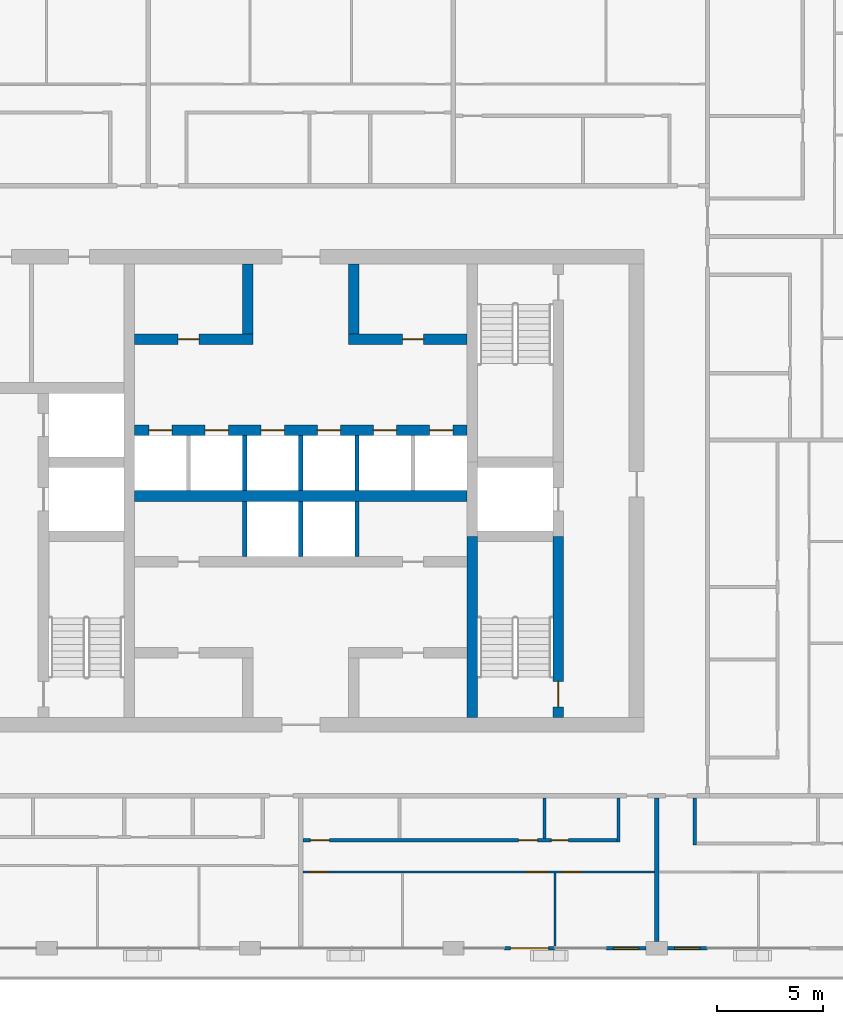
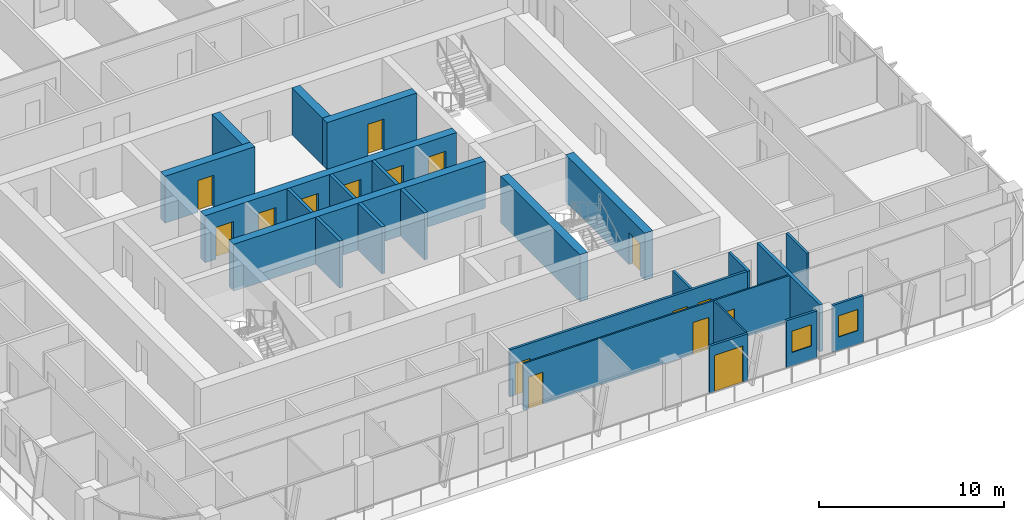
# One storey, part 11 of 22: 24 walls, 16 doors, 2 windows, 18 openings.
"""IFC4 building model written with IfcOpenShell, lengths in metres."""

from ifc_helpers import new_model, si_unit, direction, frame, frame_2d, origin, place, context, subcontext, project, spatial, rectangle, extrude, material, layer, layer_set, type_object, element, fill, save


model = new_model("IFC4")

# Units and contexts
model_context = context("Model", 3, precision=1e-05, world=origin(), true_north=direction((0.0, 1.0)))
body_context = subcontext(model_context, "Body", "Model", "MODEL_VIEW")
ifc_project = project(units=[si_unit("LENGTHUNIT", "METRE"), si_unit("AREAUNIT", "SQUARE_METRE"), si_unit("VOLUMEUNIT", "CUBIC_METRE"), si_unit("PLANEANGLEUNIT", "RADIAN"), si_unit("MASSUNIT", "GRAM", prefix="KILO")], contexts=[model_context])

# Site, building, storey
site_placement = place(None, origin())
site = spatial("IfcSite", under=ifc_project, at=site_placement, CompositionType="ELEMENT")
building_placement = place(site_placement, origin())
building = spatial("IfcBuilding", under=site, at=building_placement, Name="Madar Terraces", CompositionType="ELEMENT")
storey_placement = place(building_placement, frame((0.0, 0.0, 229.800048828125)))
storey = spatial("IfcBuildingStorey", under=building, at=storey_placement, Name="L60", CompositionType="ELEMENT", Elevation=229.800048828125)

# Wall
ifc_material_1 = material(Name="Concrete C60/75", Category="concrete")
ifc_layer_1 = layer(ifc_material_1, 0.5)
ifc_layer_set_1 = layer_set([ifc_layer_1], Name="Concrete C60/75 (CIW4 RC wall 500)")
wall_type_1 = type_object("IfcWallType", Name="CIW4 RC wall 500", PredefinedType="SHEAR", material=ifc_layer_set_1)
wall_1_placement = place(storey_placement, frame((39.300048828125, 15.699951171875, 0.0), z_axis=(0.0, 0.0, 1.0), x_axis=(0.0, 1.0, 0.0)))
element("IfcWall", 1, at=wall_1_placement, inside=storey, type_object=wall_type_1, Name="CORE SHAFT WALL", PredefinedType="SHEAR", context=body_context, shape_type="SweptSolid", body=[
    extrude(rectangle(XDim=8.550048828125, YDim=0.5, at=frame_2d((4.27490234375, 0.0))), origin(), (0.0, 0.0, 1.0), 3.099853515625),
])

# Wall, opening, door
wall_2_placement = place(storey_placement, frame((43.35009765625, 15.699951171875, 0.0), z_axis=(0.0, 0.0, 1.0), x_axis=(0.0, 1.0, 0.0)))
wall_2 = element("IfcWall", 2, at=wall_2_placement, inside=storey, type_object=wall_type_1, Name="CORE SHAFT WALL", PredefinedType="SHEAR", context=body_context, shape_type="SweptSolid", body=[
    extrude(rectangle(XDim=8.550048828125, YDim=0.5, at=frame_2d((4.27490234375, 0.0))), origin(), (0.0, 0.0, 1.0), 3.099853515625),
])
opening_1_placement = place(wall_2_placement, frame((0.5, 0.0, 0.0)))
opening_1 = element("IfcOpeningElement", 3, at=opening_1_placement, cuts=wall_2, Name="Opening SD1", PredefinedType="OPENING", context=body_context, shape_type="SweptSolid", body=[
    extrude(rectangle(XDim=1.199951171875, YDim=2.10009765625, at=frame_2d((0.60009765625, 1.050048828125))), frame((0.0, 0.260009765625, 0.0), z_axis=(0.0, -1.0, 0.0), x_axis=(1.0, 0.0, 0.0)), (0.0, 0.0, 1.0), 0.52001953125),
])
ifc_material_2 = material(Name="Steel door leaf", Category="steel")
door_type_1 = type_object("IfcDoorType", Name="Stair door 1200 x 2100", OperationType="NOTDEFINED", PredefinedType="DOOR", material=ifc_material_2)
door_1_placement = place(opening_1_placement, origin())
door_1 = element("IfcDoor", 4, at=door_1_placement, inside=storey, type_object=door_type_1, Name="STAIR DOOR", OperationType="SINGLE_SWING_LEFT", OverallHeight=2.10009765625, OverallWidth=1.199951171875, PredefinedType="DOOR", context=body_context, shape_type="SweptSolid", body=[
    extrude(rectangle(XDim=1.199951171875, YDim=2.10009765625, at=frame_2d((0.60009765625, 1.050048828125))), frame((0.0, 0.02490234375, 0.0), z_axis=(0.0, -1.0, 0.0), x_axis=(1.0, 0.0, 0.0)), (0.0, 0.0, 1.0), 0.050048828125),
])
fill(opening_1, door_1)

# Wall
wall_3_placement = place(storey_placement, frame((23.35009765625, 26.14990234375, 0.0), z_axis=(0.0, 0.0, 1.0), x_axis=(1.0, 0.0, 0.0)))
element("IfcWall", 5, at=wall_3_placement, inside=storey, type_object=wall_type_1, Name="CORE SHAFT WALL", PredefinedType="SHEAR", context=body_context, shape_type="SweptSolid", body=[
    extrude(rectangle(XDim=15.699951171875, YDim=0.5, at=frame_2d((7.85009765625, 0.0))), origin(), (0.0, 0.0, 1.0), 3.099853515625),
])

# Wall, openings, doors
wall_4_placement = place(storey_placement, frame((23.35009765625, 29.25, 0.0), z_axis=(0.0, 0.0, 1.0), x_axis=(1.0, 0.0, 0.0)))
wall_4 = element("IfcWall", 6, at=wall_4_placement, inside=storey, type_object=wall_type_1, Name="CORE SHAFT WALL", PredefinedType="SHEAR", context=body_context, shape_type="SweptSolid", body=[
    extrude(rectangle(XDim=15.699951171875, YDim=0.5, at=frame_2d((7.85009765625, 0.0))), origin(), (0.0, 0.0, 1.0), 3.099853515625),
])
opening_2_placement = place(wall_4_placement, frame((0.675048828125, 0.0, 0.0)))
opening_2 = element("IfcOpeningElement", 7, at=opening_2_placement, cuts=wall_4, Name="Opening LD", PredefinedType="OPENING", context=body_context, shape_type="SweptSolid", body=[
    extrude(rectangle(XDim=1.10009765625, YDim=2.10009765625, at=frame_2d((0.550048828125, 1.050048828125))), frame((0.0, 0.260009765625, 0.0), z_axis=(0.0, -1.0, 0.0), x_axis=(1.0, 0.0, 0.0)), (0.0, 0.0, 1.0), 0.52001953125),
])
opening_3_placement = place(wall_4_placement, frame((3.324951171875, 0.0, 0.0)))
opening_3 = element("IfcOpeningElement", 8, at=opening_3_placement, cuts=wall_4, Name="Opening LD", PredefinedType="OPENING", context=body_context, shape_type="SweptSolid", body=[
    extrude(rectangle(XDim=1.10009765625, YDim=2.10009765625, at=frame_2d((0.550048828125, 1.050048828125))), frame((0.0, 0.260009765625, 0.0), z_axis=(0.0, -1.0, 0.0), x_axis=(1.0, 0.0, 0.0)), (0.0, 0.0, 1.0), 0.52001953125),
])
opening_4_placement = place(wall_4_placement, frame((5.97509765625, 0.0, 0.0)))
opening_4 = element("IfcOpeningElement", 9, at=opening_4_placement, cuts=wall_4, Name="Opening LD", PredefinedType="OPENING", context=body_context, shape_type="SweptSolid", body=[
    extrude(rectangle(XDim=1.10009765625, YDim=2.10009765625, at=frame_2d((0.550048828125, 1.050048828125))), frame((0.0, 0.260009765625, 0.0), z_axis=(0.0, -1.0, 0.0), x_axis=(1.0, 0.0, 0.0)), (0.0, 0.0, 1.0), 0.52001953125),
])
opening_5_placement = place(wall_4_placement, frame((8.625, 0.0, 0.0)))
opening_5 = element("IfcOpeningElement", 10, at=opening_5_placement, cuts=wall_4, Name="Opening LD", PredefinedType="OPENING", context=body_context, shape_type="SweptSolid", body=[
    extrude(rectangle(XDim=1.10009765625, YDim=2.10009765625, at=frame_2d((0.550048828125, 1.050048828125))), frame((0.0, 0.260009765625, 0.0), z_axis=(0.0, -1.0, 0.0), x_axis=(1.0, 0.0, 0.0)), (0.0, 0.0, 1.0), 0.52001953125),
])
opening_6_placement = place(wall_4_placement, frame((11.27490234375, 0.0, 0.0)))
opening_6 = element("IfcOpeningElement", 11, at=opening_6_placement, cuts=wall_4, Name="Opening LD", PredefinedType="OPENING", context=body_context, shape_type="SweptSolid", body=[
    extrude(rectangle(XDim=1.10009765625, YDim=2.10009765625, at=frame_2d((0.550048828125, 1.050048828125))), frame((0.0, 0.260009765625, 0.0), z_axis=(0.0, -1.0, 0.0), x_axis=(1.0, 0.0, 0.0)), (0.0, 0.0, 1.0), 0.52001953125),
])
opening_7_placement = place(wall_4_placement, frame((13.925048828125, 0.0, 0.0)))
opening_7 = element("IfcOpeningElement", 12, at=opening_7_placement, cuts=wall_4, Name="Opening LD", PredefinedType="OPENING", context=body_context, shape_type="SweptSolid", body=[
    extrude(rectangle(XDim=1.10009765625, YDim=2.10009765625, at=frame_2d((0.550048828125, 1.050048828125))), frame((0.0, 0.260009765625, 0.0), z_axis=(0.0, -1.0, 0.0), x_axis=(1.0, 0.0, 0.0)), (0.0, 0.0, 1.0), 0.52001953125),
])
ifc_material_3 = material(Name="Stainless steel panel", Category="steel")
door_type_2 = type_object("IfcDoorType", Name="Lift landing door 1100 x 2100", OperationType="DOUBLE_DOOR_SLIDING", PredefinedType="DOOR", material=ifc_material_3)
door_2_placement = place(opening_2_placement, origin())
door_2 = element("IfcDoor", 13, at=door_2_placement, inside=storey, type_object=door_type_2, Name="LIFT LANDING DOOR", OperationType="DOUBLE_DOOR_SLIDING", OverallHeight=2.10009765625, OverallWidth=1.10009765625, PredefinedType="DOOR", context=body_context, shape_type="SweptSolid", body=[
    extrude(rectangle(XDim=1.10009765625, YDim=2.10009765625, at=frame_2d((0.550048828125, 1.050048828125))), frame((0.0, 0.02490234375, 0.0), z_axis=(0.0, -1.0, 0.0), x_axis=(1.0, 0.0, 0.0)), (0.0, 0.0, 1.0), 0.050048828125),
])
fill(opening_2, door_2)
door_3_placement = place(opening_3_placement, origin())
door_3 = element("IfcDoor", 14, at=door_3_placement, inside=storey, type_object=door_type_2, Name="LIFT LANDING DOOR", OperationType="DOUBLE_DOOR_SLIDING", OverallHeight=2.10009765625, OverallWidth=1.10009765625, PredefinedType="DOOR", context=body_context, shape_type="SweptSolid", body=[
    extrude(rectangle(XDim=1.10009765625, YDim=2.10009765625, at=frame_2d((0.550048828125, 1.050048828125))), frame((0.0, 0.02490234375, 0.0), z_axis=(0.0, -1.0, 0.0), x_axis=(1.0, 0.0, 0.0)), (0.0, 0.0, 1.0), 0.050048828125),
])
fill(opening_3, door_3)
door_4_placement = place(opening_4_placement, origin())
door_4 = element("IfcDoor", 15, at=door_4_placement, inside=storey, type_object=door_type_2, Name="LIFT LANDING DOOR", OperationType="DOUBLE_DOOR_SLIDING", OverallHeight=2.10009765625, OverallWidth=1.10009765625, PredefinedType="DOOR", context=body_context, shape_type="SweptSolid", body=[
    extrude(rectangle(XDim=1.10009765625, YDim=2.10009765625, at=frame_2d((0.550048828125, 1.050048828125))), frame((0.0, 0.02490234375, 0.0), z_axis=(0.0, -1.0, 0.0), x_axis=(1.0, 0.0, 0.0)), (0.0, 0.0, 1.0), 0.050048828125),
])
fill(opening_4, door_4)
door_5_placement = place(opening_5_placement, origin())
door_5 = element("IfcDoor", 16, at=door_5_placement, inside=storey, type_object=door_type_2, Name="LIFT LANDING DOOR", OperationType="DOUBLE_DOOR_SLIDING", OverallHeight=2.10009765625, OverallWidth=1.10009765625, PredefinedType="DOOR", context=body_context, shape_type="SweptSolid", body=[
    extrude(rectangle(XDim=1.10009765625, YDim=2.10009765625, at=frame_2d((0.550048828125, 1.050048828125))), frame((0.0, 0.02490234375, 0.0), z_axis=(0.0, -1.0, 0.0), x_axis=(1.0, 0.0, 0.0)), (0.0, 0.0, 1.0), 0.050048828125),
])
fill(opening_5, door_5)
door_6_placement = place(opening_6_placement, origin())
door_6 = element("IfcDoor", 17, at=door_6_placement, inside=storey, type_object=door_type_2, Name="LIFT LANDING DOOR", OperationType="DOUBLE_DOOR_SLIDING", OverallHeight=2.10009765625, OverallWidth=1.10009765625, PredefinedType="DOOR", context=body_context, shape_type="SweptSolid", body=[
    extrude(rectangle(XDim=1.10009765625, YDim=2.10009765625, at=frame_2d((0.550048828125, 1.050048828125))), frame((0.0, 0.02490234375, 0.0), z_axis=(0.0, -1.0, 0.0), x_axis=(1.0, 0.0, 0.0)), (0.0, 0.0, 1.0), 0.050048828125),
])
fill(opening_6, door_6)
door_7_placement = place(opening_7_placement, origin())
door_7 = element("IfcDoor", 18, at=door_7_placement, inside=storey, type_object=door_type_2, Name="LIFT LANDING DOOR", OperationType="DOUBLE_DOOR_SLIDING", OverallHeight=2.10009765625, OverallWidth=1.10009765625, PredefinedType="DOOR", context=body_context, shape_type="SweptSolid", body=[
    extrude(rectangle(XDim=1.10009765625, YDim=2.10009765625, at=frame_2d((0.550048828125, 1.050048828125))), frame((0.0, 0.02490234375, 0.0), z_axis=(0.0, -1.0, 0.0), x_axis=(1.0, 0.0, 0.0)), (0.0, 0.0, 1.0), 0.050048828125),
])
fill(opening_7, door_7)

# Wall, opening, door
wall_5_placement = place(storey_placement, frame((23.35009765625, 33.550048828125, 0.0), z_axis=(0.0, 0.0, 1.0), x_axis=(1.0, 0.0, 0.0)))
wall_5 = element("IfcWall", 19, at=wall_5_placement, inside=storey, type_object=wall_type_1, Name="CORE SHAFT WALL", PredefinedType="SHEAR", context=body_context, shape_type="SweptSolid", body=[
    extrude(rectangle(XDim=5.599853515625, YDim=0.5, at=frame_2d((2.7998046875, 0.0))), origin(), (0.0, 0.0, 1.0), 3.099853515625),
])
opening_8_placement = place(wall_5_placement, frame((2.050048828125, 0.0, 0.0)))
opening_8 = element("IfcOpeningElement", 20, at=opening_8_placement, cuts=wall_5, Name="Opening KD2", PredefinedType="OPENING", context=body_context, shape_type="SweptSolid", body=[
    extrude(rectangle(XDim=1.0, YDim=2.10009765625, at=frame_2d((0.5, 1.050048828125))), frame((0.0, 0.260009765625, 0.0), z_axis=(0.0, -1.0, 0.0), x_axis=(1.0, 0.0, 0.0)), (0.0, 0.0, 1.0), 0.52001953125),
])
ifc_material_4 = material(Name="Steel door leaf", Category="steel")
door_type_3 = type_object("IfcDoorType", Name="Service room door 1000 x 2100", OperationType="NOTDEFINED", PredefinedType="DOOR", material=ifc_material_4)
door_8_placement = place(opening_8_placement, frame((1.0, 0.0, 0.0), z_axis=(0.0, 0.0, 1.0), x_axis=(-1.0, 0.0, 0.0)))
door_8 = element("IfcDoor", 21, at=door_8_placement, inside=storey, type_object=door_type_3, Name="SERVICE ROOM DOOR", OperationType="SINGLE_SWING_LEFT", OverallHeight=2.10009765625, OverallWidth=1.0, PredefinedType="DOOR", context=body_context, shape_type="SweptSolid", body=[
    extrude(rectangle(XDim=1.0, YDim=2.10009765625, at=frame_2d((0.5, 1.050048828125))), frame((0.0, 0.02490234375, 0.0), z_axis=(0.0, -1.0, 0.0), x_axis=(1.0, 0.0, 0.0)), (0.0, 0.0, 1.0), 0.050048828125),
])
fill(opening_8, door_8)

wall_6_placement = place(storey_placement, frame((33.449951171875, 33.550048828125, 0.0), z_axis=(0.0, 0.0, 1.0), x_axis=(1.0, 0.0, 0.0)))
wall_6 = element("IfcWall", 22, at=wall_6_placement, inside=storey, type_object=wall_type_1, Name="CORE SHAFT WALL", PredefinedType="SHEAR", context=body_context, shape_type="SweptSolid", body=[
    extrude(rectangle(XDim=5.60009765625, YDim=0.5, at=frame_2d((2.800048828125, 0.0))), origin(), (0.0, 0.0, 1.0), 3.099853515625),
])
opening_9_placement = place(wall_6_placement, frame((2.550048828125, 0.0, 0.0)))
opening_9 = element("IfcOpeningElement", 23, at=opening_9_placement, cuts=wall_6, Name="Opening KD2", PredefinedType="OPENING", context=body_context, shape_type="SweptSolid", body=[
    extrude(rectangle(XDim=1.0, YDim=2.10009765625, at=frame_2d((0.5, 1.050048828125))), frame((0.0, 0.260009765625, 0.0), z_axis=(0.0, -1.0, 0.0), x_axis=(1.0, 0.0, 0.0)), (0.0, 0.0, 1.0), 0.52001953125),
])
door_9_placement = place(opening_9_placement, frame((1.0, 0.0, 0.0), z_axis=(0.0, 0.0, 1.0), x_axis=(-1.0, 0.0, 0.0)))
door_9 = element("IfcDoor", 24, at=door_9_placement, inside=storey, type_object=door_type_3, Name="SERVICE ROOM DOOR", OperationType="SINGLE_SWING_RIGHT", OverallHeight=2.10009765625, OverallWidth=1.0, PredefinedType="DOOR", context=body_context, shape_type="SweptSolid", body=[
    extrude(rectangle(XDim=1.0, YDim=2.10009765625, at=frame_2d((0.5, 1.050048828125))), frame((0.0, 0.02490234375, 0.0), z_axis=(0.0, -1.0, 0.0), x_axis=(1.0, 0.0, 0.0)), (0.0, 0.0, 1.0), 0.050048828125),
])
fill(opening_9, door_9)

# Walls
for number, where, z_axis, x_axis, name in (
    (25, (28.699951171875, 33.800048828125, 0.0), (0.0, 0.0, 1.0), (0.0, 1.0, 0.0), "CORE SHAFT WALL"),
    (26, (33.699951171875, 33.800048828125, 0.0), (0.0, 0.0, 1.0), (0.0, 1.0, 0.0), "CORE SHAFT WALL"),
):
    element("IfcWall", number, at=place(storey_placement, frame(where, z_axis=z_axis, x_axis=x_axis)), inside=storey, type_object=wall_type_1, Name=name, PredefinedType="SHEAR", context=body_context, shape_type="SweptSolid", body=[
        extrude(rectangle(XDim=3.300048828125, YDim=0.5, at=frame_2d((1.64990234375, 0.0))), origin(), (0.0, 0.0, 1.0), 3.099853515625),
    ])
ifc_material_5 = material(Name="Concrete C40/50", Category="concrete")
ifc_layer_2 = layer(ifc_material_5, 0.199951171875)
ifc_layer_set_2 = layer_set([ifc_layer_2], Name="Core shaft dividing wall 200 C40/50")
wall_type_2 = type_object("IfcWallType", Name="Core shaft dividing wall 200 C40/50", PredefinedType="SOLIDWALL", material=ifc_layer_set_2)
wall_7_placement = place(storey_placement, frame((28.550048828125, 23.300048828125, 0.0), z_axis=(0.0, 0.0, 1.0), x_axis=(0.0, 1.0, 0.0)))
element("IfcWall", 27, at=wall_7_placement, inside=storey, type_object=wall_type_2, Name="SHAFT DIVIDING WALL", PredefinedType="SOLIDWALL", context=body_context, shape_type="SweptSolid", body=[
    extrude(rectangle(XDim=2.599853515625, YDim=0.199951171875, at=frame_2d((1.2998046875, 0.0))), origin(), (0.0, 0.0, 1.0), 3.099853515625),
])
wall_8_placement = place(storey_placement, frame((28.550048828125, 26.39990234375, 0.0), z_axis=(0.0, 0.0, 1.0), x_axis=(0.0, 1.0, 0.0)))
element("IfcWall", 28, at=wall_8_placement, inside=storey, type_object=wall_type_2, Name="SHAFT DIVIDING WALL", PredefinedType="SOLIDWALL", context=body_context, shape_type="SweptSolid", body=[
    extrude(rectangle(XDim=2.60009765625, YDim=0.199951171875, at=frame_2d((1.300048828125, 0.0))), origin(), (0.0, 0.0, 1.0), 3.099853515625),
])
wall_9_placement = place(storey_placement, frame((31.199951171875, 23.300048828125, 0.0), z_axis=(0.0, 0.0, 1.0), x_axis=(0.0, 1.0, 0.0)))
element("IfcWall", 29, at=wall_9_placement, inside=storey, type_object=wall_type_2, Name="SHAFT DIVIDING WALL", PredefinedType="SOLIDWALL", context=body_context, shape_type="SweptSolid", body=[
    extrude(rectangle(XDim=2.599853515625, YDim=0.199951171875, at=frame_2d((1.2998046875, 0.0))), origin(), (0.0, 0.0, 1.0), 3.099853515625),
])
wall_10_placement = place(storey_placement, frame((31.199951171875, 26.39990234375, 0.0), z_axis=(0.0, 0.0, 1.0), x_axis=(0.0, 1.0, 0.0)))
element("IfcWall", 30, at=wall_10_placement, inside=storey, type_object=wall_type_2, Name="SHAFT DIVIDING WALL", PredefinedType="SOLIDWALL", context=body_context, shape_type="SweptSolid", body=[
    extrude(rectangle(XDim=2.60009765625, YDim=0.199951171875, at=frame_2d((1.300048828125, 0.0))), origin(), (0.0, 0.0, 1.0), 3.099853515625),
])
wall_11_placement = place(storey_placement, frame((33.85009765625, 23.300048828125, 0.0), z_axis=(0.0, 0.0, 1.0), x_axis=(0.0, 1.0, 0.0)))
element("IfcWall", 31, at=wall_11_placement, inside=storey, type_object=wall_type_2, Name="SHAFT DIVIDING WALL", PredefinedType="SOLIDWALL", context=body_context, shape_type="SweptSolid", body=[
    extrude(rectangle(XDim=2.599853515625, YDim=0.199951171875, at=frame_2d((1.2998046875, 0.0))), origin(), (0.0, 0.0, 1.0), 3.099853515625),
])
wall_12_placement = place(storey_placement, frame((33.85009765625, 26.39990234375, 0.0), z_axis=(0.0, 0.0, 1.0), x_axis=(0.0, 1.0, 0.0)))
element("IfcWall", 32, at=wall_12_placement, inside=storey, type_object=wall_type_2, Name="SHAFT DIVIDING WALL", PredefinedType="SOLIDWALL", context=body_context, shape_type="SweptSolid", body=[
    extrude(rectangle(XDim=2.60009765625, YDim=0.199951171875, at=frame_2d((1.300048828125, 0.0))), origin(), (0.0, 0.0, 1.0), 3.099853515625),
])

# Wall, opening, door
ifc_material_6 = material(Name="Aluminium composite panel, black, over insulated backing", Category="aluminium")
ifc_layer_3 = layer(ifc_material_6, 0.14990234375)
ifc_layer_set_3 = layer_set([ifc_layer_3], Name="Facade bay panel 150")
wall_type_3 = type_object("IfcWallType", Name="Facade bay panel 150", PredefinedType="SOLIDWALL", material=ifc_layer_set_3)
wall_13_placement = place(storey_placement, frame((40.800048828125, 4.800048828125, 0.0), z_axis=(0.0, 0.0, 1.0), x_axis=(1.0, 0.0, 0.0)))
wall_13 = element("IfcWall", 33, at=wall_13_placement, inside=storey, type_object=wall_type_3, Name="Facade bay panel", PredefinedType="SOLIDWALL", context=body_context, shape_type="SweptSolid", body=[
    extrude(rectangle(XDim=2.39990234375, YDim=0.14990234375, at=frame_2d((1.199951171875, 0.0))), origin(), (0.0, 0.0, 1.0), 3.099853515625),
])
opening_10_placement = place(wall_13_placement, frame((0.300048828125, 0.0, 0.0)))
opening_10 = element("IfcOpeningElement", 34, at=opening_10_placement, cuts=wall_13, Name="Opening ED1", PredefinedType="OPENING", context=body_context, shape_type="SweptSolid", body=[
    extrude(rectangle(XDim=1.800048828125, YDim=2.39990234375, at=frame_2d((0.89990234375, 1.199951171875))), frame((0.0, 0.0849609375, 0.0), z_axis=(0.0, -1.0, 0.0), x_axis=(1.0, 0.0, 0.0)), (0.0, 0.0, 1.0), 0.169921875),
])
ifc_material_7 = material(Name="Glass, clear, with black aluminium frame", Category="aluminium")
door_type_4 = type_object("IfcDoorType", Name="Balcony and terrace sliding door 1800 x 2400", OperationType="SLIDING_TO_LEFT", PredefinedType="DOOR", material=ifc_material_7)
door_10_placement = place(opening_10_placement, origin())
door_10 = element("IfcDoor", 35, at=door_10_placement, inside=storey, type_object=door_type_4, Name="Balcony door", OperationType="SLIDING_TO_LEFT", OverallHeight=2.39990234375, OverallWidth=1.800048828125, PredefinedType="DOOR", context=body_context, shape_type="SweptSolid", body=[
    extrude(rectangle(XDim=1.800048828125, YDim=2.39990234375, at=frame_2d((0.89990234375, 1.199951171875))), frame((0.0, 0.02490234375, 0.0), z_axis=(0.0, -1.0, 0.0), x_axis=(1.0, 0.0, 0.0)), (0.0, 0.0, 1.0), 0.050048828125),
])
fill(opening_10, door_10)

# Wall, opening, window
wall_14_placement = place(storey_placement, frame((45.60009765625, 4.800048828125, 0.0), z_axis=(0.0, 0.0, 1.0), x_axis=(1.0, 0.0, 0.0)))
wall_14 = element("IfcWall", 36, at=wall_14_placement, inside=storey, type_object=wall_type_3, Name="Facade bay panel", PredefinedType="SOLIDWALL", context=body_context, shape_type="SweptSolid", body=[
    extrude(rectangle(XDim=1.89990234375, YDim=0.14990234375, at=frame_2d((0.949951171875, 0.0))), origin(), (0.0, 0.0, 1.0), 3.099853515625),
])
opening_11_placement = place(wall_14_placement, frame((0.35009765625, 0.0, 0.89990234375)))
opening_11 = element("IfcOpeningElement", 37, at=opening_11_placement, cuts=wall_14, Name="Opening W1", PredefinedType="OPENING", context=body_context, shape_type="SweptSolid", body=[
    extrude(rectangle(XDim=1.199951171875, YDim=1.39990234375, at=frame_2d((0.60009765625, 0.699951171875))), frame((0.0, 0.0849609375, 0.0), z_axis=(0.0, -1.0, 0.0), x_axis=(1.0, 0.0, 0.0)), (0.0, 0.0, 1.0), 0.169921875),
])
ifc_material_8 = material(Name="Glass, clear, with black aluminium frame", Category="aluminium")
window_type = type_object("IfcWindowType", Name="Vent window 1200 x 1400", PartitioningType="SINGLE_PANEL", PredefinedType="WINDOW", material=ifc_material_8)
window_1_placement = place(opening_11_placement, origin())
window_1 = element("IfcWindow", 38, at=window_1_placement, inside=storey, type_object=window_type, Name="Operable vent window", OverallHeight=1.39990234375, OverallWidth=1.199951171875, PartitioningType="SINGLE_PANEL", PredefinedType="WINDOW", context=body_context, shape_type="SweptSolid", body=[
    extrude(rectangle(XDim=1.199951171875, YDim=1.39990234375, at=frame_2d((0.60009765625, 0.699951171875))), frame((0.0, 0.030029296875, 0.0), z_axis=(0.0, -1.0, 0.0), x_axis=(1.0, 0.0, 0.0)), (0.0, 0.0, 1.0), 0.06005859375),
])
fill(opening_11, window_1)

wall_15_placement = place(storey_placement, frame((48.5, 4.800048828125, 0.0), z_axis=(0.0, 0.0, 1.0), x_axis=(1.0, 0.0, 0.0)))
wall_15 = element("IfcWall", 39, at=wall_15_placement, inside=storey, type_object=wall_type_3, Name="Facade bay panel", PredefinedType="SOLIDWALL", context=body_context, shape_type="SweptSolid", body=[
    extrude(rectangle(XDim=1.89990234375, YDim=0.14990234375, at=frame_2d((0.949951171875, 0.0))), origin(), (0.0, 0.0, 1.0), 3.099853515625),
])
opening_12_placement = place(wall_15_placement, frame((0.35009765625, 0.0, 0.89990234375)))
opening_12 = element("IfcOpeningElement", 40, at=opening_12_placement, cuts=wall_15, Name="Opening W1", PredefinedType="OPENING", context=body_context, shape_type="SweptSolid", body=[
    extrude(rectangle(XDim=1.199951171875, YDim=1.39990234375, at=frame_2d((0.60009765625, 0.699951171875))), frame((0.0, 0.0849609375, 0.0), z_axis=(0.0, -1.0, 0.0), x_axis=(1.0, 0.0, 0.0)), (0.0, 0.0, 1.0), 0.169921875),
])
window_2_placement = place(opening_12_placement, origin())
window_2 = element("IfcWindow", 41, at=window_2_placement, inside=storey, type_object=window_type, Name="Operable vent window", OverallHeight=1.39990234375, OverallWidth=1.199951171875, PartitioningType="SINGLE_PANEL", PredefinedType="WINDOW", context=body_context, shape_type="SweptSolid", body=[
    extrude(rectangle(XDim=1.199951171875, YDim=1.39990234375, at=frame_2d((0.60009765625, 0.699951171875))), frame((0.0, 0.030029296875, 0.0), z_axis=(0.0, -1.0, 0.0), x_axis=(1.0, 0.0, 0.0)), (0.0, 0.0, 1.0), 0.06005859375),
])
fill(opening_12, window_2)

# Wall
ifc_material_9 = material(Name="Gypsum board on steel studs", Category="steel")
ifc_layer_4 = layer(ifc_material_9, 0.10009765625)
ifc_layer_set_4 = layer_set([ifc_layer_4], Name="Flat partition 100")
wall_type_4 = type_object("IfcWallType", Name="Flat partition 100", PredefinedType="PARTITIONING", material=ifc_layer_set_4)
wall_16_placement = place(storey_placement, frame((43.199951171875, 8.35009765625, 0.0), z_axis=(0.0, 0.0, 1.0), x_axis=(0.0, -1.0, 0.0)))
element("IfcWall", 42, at=wall_16_placement, inside=storey, type_object=wall_type_4, Name="Flat partition 100", PredefinedType="PARTITIONING", context=body_context, shape_type="SweptSolid", body=[
    extrude(rectangle(XDim=3.4501953125, YDim=0.10009765625, at=frame_2d((1.72509765625, 0.0))), origin(), (0.0, 0.0, 1.0), 3.099853515625),
])

# Wall, openings, doors
wall_17_placement = place(storey_placement, frame((47.89990234375, 8.39990234375, 0.0), z_axis=(0.0, 0.0, 1.0), x_axis=(-1.0, 0.0, 0.0)))
wall_17 = element("IfcWall", 43, at=wall_17_placement, inside=storey, type_object=wall_type_4, Name="Flat partition 100", PredefinedType="PARTITIONING", context=body_context, shape_type="SweptSolid", body=[
    extrude(rectangle(XDim=16.599853515625, YDim=0.10009765625, at=frame_2d((8.2998046875, 0.0))), origin(), (0.0, 0.0, 1.0), 3.099853515625),
])
opening_13_placement = place(wall_17_placement, frame((3.449951171875, 0.0, 0.0)))
opening_13 = element("IfcOpeningElement", 44, at=opening_13_placement, cuts=wall_17, Name="Opening D2", PredefinedType="OPENING", context=body_context, shape_type="SweptSolid", body=[
    extrude(rectangle(XDim=0.89990234375, YDim=2.10009765625, at=frame_2d((0.449951171875, 1.050048828125))), frame((0.0, 0.06005859375, 0.0), z_axis=(0.0, -1.0, 0.0), x_axis=(1.0, 0.0, 0.0)), (0.0, 0.0, 1.0), 0.1201171875),
])
opening_14_placement = place(wall_17_placement, frame((5.050048828125, 0.0, 0.0)))
opening_14 = element("IfcOpeningElement", 45, at=opening_14_placement, cuts=wall_17, Name="Opening D3", PredefinedType="OPENING", context=body_context, shape_type="SweptSolid", body=[
    extrude(rectangle(XDim=1.0, YDim=2.10009765625, at=frame_2d((0.5, 1.050048828125))), frame((0.0, 0.06005859375, 0.0), z_axis=(0.0, -1.0, 0.0), x_axis=(1.0, 0.0, 0.0)), (0.0, 0.0, 1.0), 0.1201171875),
])
opening_15_placement = place(wall_17_placement, frame((15.39990234375, 0.0, 0.0)))
opening_15 = element("IfcOpeningElement", 46, at=opening_15_placement, cuts=wall_17, Name="Opening D2", PredefinedType="OPENING", context=body_context, shape_type="SweptSolid", body=[
    extrude(rectangle(XDim=0.89990234375, YDim=2.10009765625, at=frame_2d((0.449951171875, 1.050048828125))), frame((0.0, 0.06005859375, 0.0), z_axis=(0.0, -1.0, 0.0), x_axis=(1.0, 0.0, 0.0)), (0.0, 0.0, 1.0), 0.1201171875),
])
ifc_material_10 = material(Name="Timber door leaf", Category="wood")
door_type_5 = type_object("IfcDoorType", Name="Flat living room door 1000", OperationType="NOTDEFINED", PredefinedType="DOOR", material=ifc_material_10)
door_11_placement = place(opening_14_placement, origin())
door_11 = element("IfcDoor", 47, at=door_11_placement, inside=storey, type_object=door_type_5, Name="Flat living room door 1000", OperationType="SINGLE_SWING_LEFT", OverallHeight=2.10009765625, OverallWidth=1.0, PredefinedType="DOOR", context=body_context, shape_type="SweptSolid", body=[
    extrude(rectangle(XDim=1.0, YDim=2.10009765625, at=frame_2d((0.5, 1.050048828125))), frame((0.0, 0.02490234375, 0.0), z_axis=(0.0, -1.0, 0.0), x_axis=(1.0, 0.0, 0.0)), (0.0, 0.0, 1.0), 0.050048828125),
])
fill(opening_14, door_11)
ifc_material_11 = material(Name="Timber door leaf", Category="wood")
door_type_6 = type_object("IfcDoorType", Name="Flat room door 900", OperationType="NOTDEFINED", PredefinedType="DOOR", material=ifc_material_11)
door_12_placement = place(opening_13_placement, origin())
door_12 = element("IfcDoor", 48, at=door_12_placement, inside=storey, type_object=door_type_6, Name="Flat room door 900", OperationType="SINGLE_SWING_RIGHT", OverallHeight=2.10009765625, OverallWidth=0.89990234375, PredefinedType="DOOR", context=body_context, shape_type="SweptSolid", body=[
    extrude(rectangle(XDim=0.89990234375, YDim=2.10009765625, at=frame_2d((0.449951171875, 1.050048828125))), frame((0.0, 0.02490234375, 0.0), z_axis=(0.0, -1.0, 0.0), x_axis=(1.0, 0.0, 0.0)), (0.0, 0.0, 1.0), 0.050048828125),
])
fill(opening_13, door_12)
door_13_placement = place(opening_15_placement, origin())
door_13 = element("IfcDoor", 49, at=door_13_placement, inside=storey, type_object=door_type_6, Name="Flat room door 900", OperationType="SINGLE_SWING_RIGHT", OverallHeight=2.10009765625, OverallWidth=0.89990234375, PredefinedType="DOOR", context=body_context, shape_type="SweptSolid", body=[
    extrude(rectangle(XDim=0.89990234375, YDim=2.10009765625, at=frame_2d((0.449951171875, 1.050048828125))), frame((0.0, 0.02490234375, 0.0), z_axis=(0.0, -1.0, 0.0), x_axis=(1.0, 0.0, 0.0)), (0.0, 0.0, 1.0), 0.050048828125),
])
fill(opening_15, door_13)

# Walls
ifc_material_12 = material(Name="Lightweight blockwork", Category="masonry")
ifc_layer_5 = layer(ifc_material_12, 0.199951171875)
ifc_layer_set_5 = layer_set([ifc_layer_5], Name="Flat party and entrance wall 200")
wall_type_5 = type_object("IfcWallType", Name="Flat party and entrance wall 200", PredefinedType="PARTITIONING", material=ifc_layer_set_5)
wall_18_placement = place(storey_placement, frame((48.0, 11.89990234375, 0.0), z_axis=(0.0, 0.0, 1.0), x_axis=(0.0, -1.0, 0.0)))
element("IfcWall", 50, at=wall_18_placement, inside=storey, type_object=wall_type_5, Name="Flat party and entrance wall 200", PredefinedType="PARTITIONING", context=body_context, shape_type="SweptSolid", body=[
    extrude(rectangle(XDim=6.77490234375, YDim=0.199951171875, at=frame_2d((3.387451171875, 0.0))), origin(), (0.0, 0.0, 1.0), 3.099853515625),
])
ifc_material_13 = material(Name="Lightweight blockwork", Category="masonry")
ifc_layer_6 = layer(ifc_material_13, 0.14990234375)
ifc_layer_set_6 = layer_set([ifc_layer_6], Name="Flat wet-room partition 150")
wall_type_6 = type_object("IfcWallType", Name="Flat wet-room partition 150", PredefinedType="PARTITIONING", material=ifc_layer_set_6)
wall_19_placement = place(storey_placement, frame((42.703857421875, 11.89990234375, 0.0), z_axis=(0.0, 0.0, 1.0), x_axis=(0.0, -1.0, 0.0)))
element("IfcWall", 51, at=wall_19_placement, inside=storey, type_object=wall_type_6, Name="Flat wet-room partition 150", PredefinedType="PARTITIONING", context=body_context, shape_type="SweptSolid", body=[
    extrude(rectangle(XDim=1.9248046875, YDim=0.14990234375, at=frame_2d((0.96240234375, 0.0))), origin(), (0.0, 0.0, 1.0), 3.099853515625),
])
wall_20_placement = place(storey_placement, frame((46.199951171875, 11.89990234375, 0.0), z_axis=(0.0, 0.0, 1.0), x_axis=(0.0, -1.0, 0.0)))
element("IfcWall", 52, at=wall_20_placement, inside=storey, type_object=wall_type_6, Name="Flat wet-room partition 150", PredefinedType="PARTITIONING", context=body_context, shape_type="SweptSolid", body=[
    extrude(rectangle(XDim=2.074951171875, YDim=0.14990234375, at=frame_2d((1.03759765625, 0.0))), origin(), (0.0, 0.0, 1.0), 3.099853515625),
])

# Wall, openings, doors
wall_21_placement = place(storey_placement, frame((31.300048828125, 9.89990234375, 0.0), z_axis=(0.0, 0.0, 1.0), x_axis=(1.0, 0.0, 0.0)))
wall_21 = element("IfcWall", 53, at=wall_21_placement, inside=storey, type_object=wall_type_6, Name="Flat wet-room partition 150", PredefinedType="PARTITIONING", context=body_context, shape_type="SweptSolid", body=[
    extrude(rectangle(XDim=14.824951171875, YDim=0.14990234375, at=frame_2d((7.41259765625, 0.0))), origin(), (0.0, 0.0, 1.0), 3.099853515625),
])
opening_16_placement = place(wall_21_placement, frame((11.728759765625, 0.0, 0.0)))
opening_16 = element("IfcOpeningElement", 54, at=opening_16_placement, cuts=wall_21, Name="Opening D4", PredefinedType="OPENING", context=body_context, shape_type="SweptSolid", body=[
    extrude(rectangle(XDim=0.800048828125, YDim=2.10009765625, at=frame_2d((0.39990234375, 1.050048828125))), frame((0.0, 0.0849609375, 0.0), z_axis=(0.0, -1.0, 0.0), x_axis=(1.0, 0.0, 0.0)), (0.0, 0.0, 1.0), 0.169921875),
])
opening_17_placement = place(wall_21_placement, frame((10.1787109375, 0.0, 0.0)))
opening_17 = element("IfcOpeningElement", 55, at=opening_17_placement, cuts=wall_21, Name="Opening D2", PredefinedType="OPENING", context=body_context, shape_type="SweptSolid", body=[
    extrude(rectangle(XDim=0.89990234375, YDim=2.10009765625, at=frame_2d((0.449951171875, 1.050048828125))), frame((0.0, 0.0849609375, 0.0), z_axis=(0.0, -1.0, 0.0), x_axis=(1.0, 0.0, 0.0)), (0.0, 0.0, 1.0), 0.169921875),
])
opening_18_placement = place(wall_21_placement, frame((0.35009765625, 0.0, 0.0)))
opening_18 = element("IfcOpeningElement", 56, at=opening_18_placement, cuts=wall_21, Name="Opening D5", PredefinedType="OPENING", context=body_context, shape_type="SweptSolid", body=[
    extrude(rectangle(XDim=0.89990234375, YDim=2.10009765625, at=frame_2d((0.449951171875, 1.050048828125))), frame((0.0, 0.0849609375, 0.0), z_axis=(0.0, -1.0, 0.0), x_axis=(1.0, 0.0, 0.0)), (0.0, 0.0, 1.0), 0.169921875),
])
ifc_material_14 = material(Name="Timber door leaf", Category="wood")
door_type_7 = type_object("IfcDoorType", Name="Flat accessible bathroom door 900", OperationType="NOTDEFINED", PredefinedType="DOOR", material=ifc_material_14)
door_14_placement = place(opening_18_placement, origin())
door_14 = element("IfcDoor", 57, at=door_14_placement, inside=storey, type_object=door_type_7, Name="Flat accessible bathroom door 900", OperationType="SINGLE_SWING_LEFT", OverallHeight=2.10009765625, OverallWidth=0.89990234375, PredefinedType="DOOR", context=body_context, shape_type="SweptSolid", body=[
    extrude(rectangle(XDim=0.89990234375, YDim=2.10009765625, at=frame_2d((0.449951171875, 1.050048828125))), frame((0.0, 0.02490234375, 0.0), z_axis=(0.0, -1.0, 0.0), x_axis=(1.0, 0.0, 0.0)), (0.0, 0.0, 1.0), 0.050048828125),
])
fill(opening_18, door_14)
ifc_material_15 = material(Name="Timber door leaf", Category="wood")
door_type_8 = type_object("IfcDoorType", Name="Flat bathroom door 800", OperationType="NOTDEFINED", PredefinedType="DOOR", material=ifc_material_15)
door_15_placement = place(opening_16_placement, origin())
door_15 = element("IfcDoor", 58, at=door_15_placement, inside=storey, type_object=door_type_8, Name="Flat bathroom door 800", OperationType="SINGLE_SWING_LEFT", OverallHeight=2.10009765625, OverallWidth=0.800048828125, PredefinedType="DOOR", context=body_context, shape_type="SweptSolid", body=[
    extrude(rectangle(XDim=0.800048828125, YDim=2.10009765625, at=frame_2d((0.39990234375, 1.050048828125))), frame((0.0, 0.02490234375, 0.0), z_axis=(0.0, -1.0, 0.0), x_axis=(1.0, 0.0, 0.0)), (0.0, 0.0, 1.0), 0.050048828125),
])
fill(opening_16, door_15)
door_16_placement = place(opening_17_placement, origin())
door_16 = element("IfcDoor", 59, at=door_16_placement, inside=storey, type_object=door_type_6, Name="Flat room door 900", OperationType="SINGLE_SWING_RIGHT", OverallHeight=2.10009765625, OverallWidth=0.89990234375, PredefinedType="DOOR", context=body_context, shape_type="SweptSolid", body=[
    extrude(rectangle(XDim=0.89990234375, YDim=2.10009765625, at=frame_2d((0.449951171875, 1.050048828125))), frame((0.0, 0.02490234375, 0.0), z_axis=(0.0, -1.0, 0.0), x_axis=(1.0, 0.0, 0.0)), (0.0, 0.0, 1.0), 0.050048828125),
])
fill(opening_17, door_16)

# Wall
wall_22_placement = place(storey_placement, frame((49.800048828125, 11.89990234375, 0.0), z_axis=(0.0, 0.0, 1.0), x_axis=(0.0, -1.0, 0.0)))
element("IfcWall", 60, at=wall_22_placement, inside=storey, type_object=wall_type_6, Name="Flat wet-room partition 150", PredefinedType="PARTITIONING", context=body_context, shape_type="SweptSolid", body=[
    extrude(rectangle(XDim=2.224853515625, YDim=0.14990234375, at=frame_2d((1.1123046875, 0.0))), origin(), (0.0, 0.0, 1.0), 3.099853515625),
])

save(model, "model.ifc")
